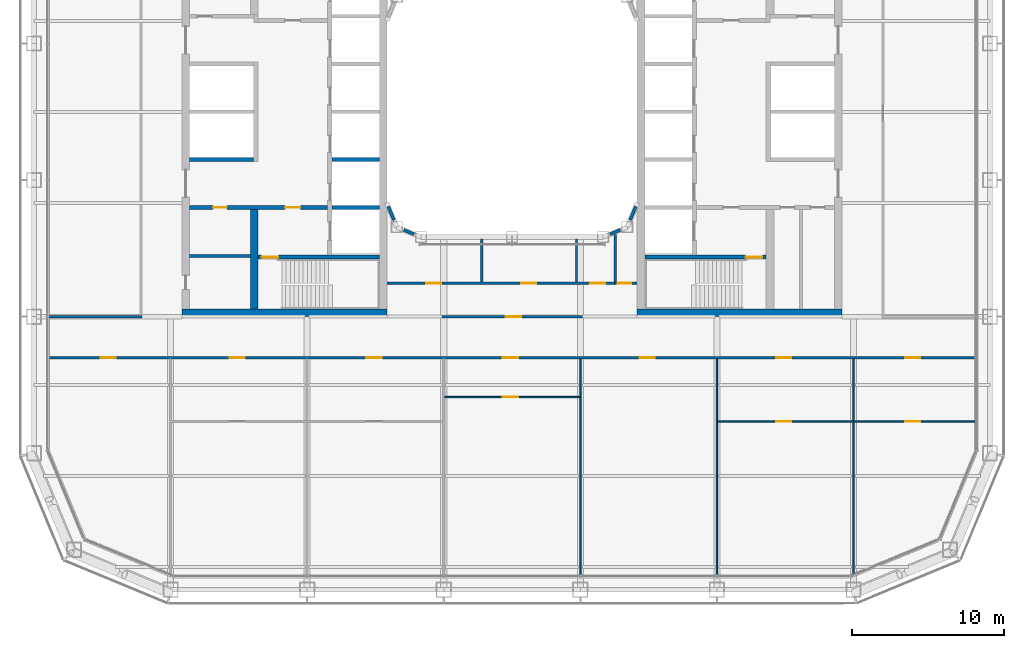
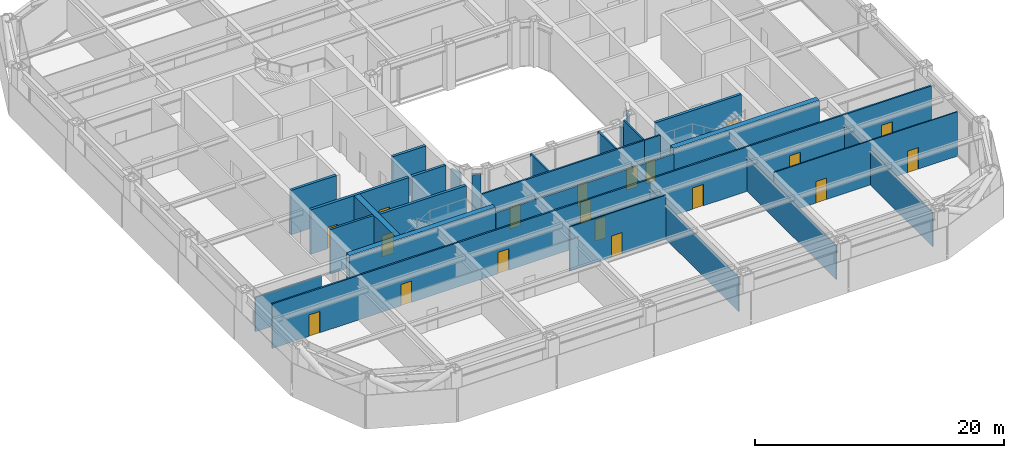
# One storey, part 12 of 24: 28 walls, 19 doors, 19 openings.
"""IFC4 building model written with IfcOpenShell, lengths in metres."""

from ifc_helpers import new_model, si_unit, direction, frame, frame_2d, origin, place, context, subcontext, project, spatial, rectangle, extrude, material, layer, layer_set, type_object, element, fill, save


model = new_model("IFC4")

# Units and contexts
model_context = context("Model", 3, precision=1e-05, world=origin(), true_north=direction((0.0, 1.0)))
body_context = subcontext(model_context, "Body", "Model", "MODEL_VIEW")
ifc_project = project(units=[si_unit("LENGTHUNIT", "METRE"), si_unit("AREAUNIT", "SQUARE_METRE"), si_unit("VOLUMEUNIT", "CUBIC_METRE"), si_unit("PLANEANGLEUNIT", "RADIAN"), si_unit("MASSUNIT", "GRAM", prefix="KILO")], contexts=[model_context])

# Site, building, storey
site_placement = place(None, origin())
site = spatial("IfcSite", under=ifc_project, at=site_placement, CompositionType="ELEMENT")
building_placement = place(site_placement, origin())
building = spatial("IfcBuilding", under=site, at=building_placement, Name="Siwar Civic Tower", CompositionType="ELEMENT")
storey_placement = place(building_placement, frame((0.0, 0.0, 76.199951171875)))
storey = spatial("IfcBuildingStorey", under=building, at=storey_placement, Name="L16", CompositionType="ELEMENT", Elevation=76.199951171875)

# Wall, opening, door
ifc_material_1 = material(Name="Gypsum board on steel studs", Category="steel")
ifc_layer_1 = layer(ifc_material_1, 0.14990234375)
ifc_layer_set_1 = layer_set([ifc_layer_1], Name="Gypsum board on steel studs")
wall_type_1 = type_object("IfcWallType", Name="COMPARTMENT PARTITION 150 EI 60", PredefinedType="PARTITIONING", material=ifc_layer_set_1)
wall_1_placement = place(storey_placement, frame((6.800048828125, -11.300048828125, 0.0), z_axis=(0.0, 0.0, 1.0), x_axis=(1.0, 0.0, 0.0)))
wall_1 = element("IfcWall", 1, at=wall_1_placement, inside=storey, type_object=wall_type_1, Name="L16/wall/P09", PredefinedType="PARTITIONING", context=body_context, shape_type="SweptSolid", body=[
    extrude(rectangle(XDim=1.449951171875, YDim=0.14990234375, at=frame_2d((0.72509765625, 0.0))), origin(), (0.0, 0.0, 1.0), 4.35009765625),
])
opening_1_placement = place(wall_1_placement, frame((0.14990234375, 0.0, 0.0)))
opening_1 = element("IfcOpeningElement", 2, at=opening_1_placement, cuts=wall_1, Name="Opening D4", PredefinedType="OPENING", context=body_context, shape_type="SweptSolid", body=[
    extrude(rectangle(XDim=0.89990234375, YDim=2.10009765625, at=frame_2d((0.449951171875, 1.050048828125))), frame((0.0, 0.0849609375, 0.0), z_axis=(0.0, -1.0, 0.0), x_axis=(1.0, 0.0, 0.0)), (0.0, 0.0, 1.0), 0.169921875),
])
ifc_material_2 = material(Name="Timber, painted", Category="wood")
door_type_1 = type_object("IfcDoorType", Name="DOOR 900 X 2100 FD60", OperationType="SINGLE_SWING_LEFT", PredefinedType="DOOR", material=ifc_material_2)
door_1_placement = place(opening_1_placement, origin())
door_1 = element("IfcDoor", 3, at=door_1_placement, inside=storey, type_object=door_type_1, Name="L16-D35", OperationType="SINGLE_SWING_LEFT", OverallHeight=2.10009765625, OverallWidth=0.89990234375, PredefinedType="DOOR", context=body_context, shape_type="SweptSolid", body=[
    extrude(rectangle(XDim=0.89990234375, YDim=2.10009765625, at=frame_2d((0.449951171875, 1.050048828125))), frame((0.0, 0.02490234375, 0.0), z_axis=(0.0, -1.0, 0.0), x_axis=(1.0, 0.0, 0.0)), (0.0, 0.0, 1.0), 0.050048828125),
])
fill(opening_1, door_1)

# Walls
wall_2_placement = place(storey_placement, frame((6.800048828125, -11.22509765625, 0.0), z_axis=(0.0, 0.0, 1.0), x_axis=(0.0, 1.0, 0.0)))
element("IfcWall", 4, at=wall_2_placement, inside=storey, type_object=wall_type_1, Name="L16/wall/P33", PredefinedType="PARTITIONING", context=body_context, shape_type="SweptSolid", body=[
    extrude(rectangle(XDim=3.151123046875, YDim=0.14990234375, at=frame_2d((1.57568359375, 0.0))), origin(), (0.0, 0.0, 1.0), 4.35009765625),
])
ifc_material_3 = material(Name="Gypsum board on steel studs", Category="steel")
ifc_layer_2 = layer(ifc_material_3, 0.199951171875)
ifc_layer_set_2 = layer_set([ifc_layer_2], Name="Gypsum board on steel studs")
wall_type_2 = type_object("IfcWallType", Name="CORE-PARTITION-200", PredefinedType="PARTITIONING", material=ifc_layer_set_2)
wall_3_placement = place(storey_placement, frame((-17.25, -9.5, 0.0), z_axis=(0.0, 0.0, 1.0), x_axis=(-1.0, 0.0, 0.0)))
element("IfcWall", 5, at=wall_3_placement, inside=storey, type_object=wall_type_2, Name="Core partition W", PredefinedType="PARTITIONING", context=body_context, shape_type="SweptSolid", body=[
    extrude(rectangle(XDim=4.0, YDim=0.199951171875, at=frame_2d((2.0, 0.0))), origin(), (0.0, 0.0, 1.0), 4.35009765625),
])

# Wall, openings, doors
ifc_material_4 = material(Name="Concrete C60/75", Category="concrete")
ifc_layer_3 = layer(ifc_material_4, 0.25)
ifc_layer_set_3 = layer_set([ifc_layer_3], Name="Concrete C60/75")
wall_type_3 = type_object("IfcWallType", Name="CORE-WALL-RC250", PredefinedType="SHEAR", material=ifc_layer_set_3)
wall_4_placement = place(storey_placement, frame((-12.14990234375, -6.300048828125, 0.0), z_axis=(0.0, 0.0, 1.0), x_axis=(-1.0, 0.0, 0.0)))
wall_4 = element("IfcWall", 6, at=wall_4_placement, inside=storey, type_object=wall_type_3, Name="Core wall W", PredefinedType="SHEAR", context=body_context, shape_type="SweptSolid", body=[
    extrude(rectangle(XDim=9.10009765625, YDim=0.25, at=frame_2d((4.550048828125, 0.0))), origin(), (0.0, 0.0, 1.0), 4.35009765625),
])
opening_2_placement = place(wall_4_placement, frame((1.800048828125, 0.0, 0.0)))
opening_2 = element("IfcOpeningElement", 7, at=opening_2_placement, cuts=wall_4, Name="Opening L16-CW02", PredefinedType="OPENING", context=body_context, shape_type="SweptSolid", body=[
    extrude(rectangle(XDim=1.0, YDim=2.10009765625, at=frame_2d((0.5, 1.050048828125))), frame((0.0, 0.135009765625, 0.0), z_axis=(0.0, -1.0, 0.0), x_axis=(1.0, 0.0, 0.0)), (0.0, 0.0, 1.0), 0.27001953125),
])
opening_3_placement = place(wall_4_placement, frame((6.64990234375, 0.0, 0.0)))
opening_3 = element("IfcOpeningElement", 8, at=opening_3_placement, cuts=wall_4, Name="Opening L16-CW14", PredefinedType="OPENING", context=body_context, shape_type="SweptSolid", body=[
    extrude(rectangle(XDim=0.89990234375, YDim=2.10009765625, at=frame_2d((0.449951171875, 1.050048828125))), frame((0.0, 0.135009765625, 0.0), z_axis=(0.0, -1.0, 0.0), x_axis=(1.0, 0.0, 0.0)), (0.0, 0.0, 1.0), 0.27001953125),
])
ifc_material_5 = material(Name="Steel door leaf", Category="steel")
door_type_2 = type_object("IfcDoorType", Name="CORE-DOOR-FD30S", OperationType="SINGLE_SWING_LEFT", PredefinedType="DOOR", material=ifc_material_5)
door_2_placement = place(opening_2_placement, origin())
door_2 = element("IfcDoor", 9, at=door_2_placement, inside=storey, type_object=door_type_2, Name="Service lobby door L16-CW02", OperationType="SINGLE_SWING_RIGHT", OverallHeight=2.10009765625, OverallWidth=1.0, PredefinedType="DOOR", context=body_context, shape_type="SweptSolid", body=[
    extrude(rectangle(XDim=1.0, YDim=2.10009765625, at=frame_2d((0.5, 1.050048828125))), frame((0.0, 0.02490234375, 0.0), z_axis=(0.0, -1.0, 0.0), x_axis=(1.0, 0.0, 0.0)), (0.0, 0.0, 1.0), 0.050048828125),
])
fill(opening_2, door_2)
ifc_material_6 = material(Name="Steel door leaf", Category="steel")
door_type_3 = type_object("IfcDoorType", Name="CORE-DOOR-ROOM", OperationType="SINGLE_SWING_LEFT", PredefinedType="DOOR", material=ifc_material_6)
door_3_placement = place(opening_3_placement, origin())
door_3 = element("IfcDoor", 10, at=door_3_placement, inside=storey, type_object=door_type_3, Name="Core room door L16-CW14", OperationType="SINGLE_SWING_RIGHT", OverallHeight=2.10009765625, OverallWidth=0.89990234375, PredefinedType="DOOR", context=body_context, shape_type="SweptSolid", body=[
    extrude(rectangle(XDim=0.89990234375, YDim=2.10009765625, at=frame_2d((0.449951171875, 1.050048828125))), frame((0.0, 0.02490234375, 0.0), z_axis=(0.0, -1.0, 0.0), x_axis=(1.0, 0.0, 0.0)), (0.0, 0.0, 1.0), 0.050048828125),
])
fill(opening_3, door_3)

# Walls
wall_5_placement = place(storey_placement, frame((-17.050048828125, -3.14990234375, 0.0), z_axis=(0.0, 0.0, 1.0), x_axis=(-1.0, 0.0, 0.0)))
element("IfcWall", 11, at=wall_5_placement, inside=storey, type_object=wall_type_3, Name="Core wall W", PredefinedType="SHEAR", context=body_context, shape_type="SweptSolid", body=[
    extrude(rectangle(XDim=4.199951171875, YDim=0.25, at=frame_2d((2.10009765625, 0.0))), origin(), (0.0, 0.0, 1.0), 4.35009765625),
])
for number, where, z_axis, x_axis, name in (
    (12, (-8.75, -3.14990234375, 0.0), (0.0, 0.0, 1.0), (-1.0, 0.0, 0.0), "Core wall W"),
    (13, (-8.75, -6.300048828125, 0.0), (0.0, 0.0, 1.0), (-1.0, 0.0, 0.0), "Core wall W"),
):
    element("IfcWall", number, at=place(storey_placement, frame(where, z_axis=z_axis, x_axis=x_axis)), inside=storey, type_object=wall_type_3, Name=name, PredefinedType="SHEAR", context=body_context, shape_type="SweptSolid", body=[
        extrude(rectangle(XDim=3.10009765625, YDim=0.25, at=frame_2d((1.550048828125, 0.0))), origin(), (0.0, 0.0, 1.0), 4.35009765625),
    ])

# Wall, opening, door
wall_6_placement = place(storey_placement, frame((-8.75, -9.574951171875, 0.0), z_axis=(0.0, 0.0, 1.0), x_axis=(-1.0, 0.0, 0.0)))
wall_6 = element("IfcWall", 14, at=wall_6_placement, inside=storey, type_object=wall_type_3, Name="Core wall W", PredefinedType="SHEAR", context=body_context, shape_type="SweptSolid", body=[
    extrude(rectangle(XDim=8.0, YDim=0.25, at=frame_2d((4.0, 0.0))), origin(), (0.0, 0.0, 1.0), 4.35009765625),
])
opening_4_placement = place(wall_6_placement, frame((6.64990234375, 0.0, 0.0)))
opening_4 = element("IfcOpeningElement", 15, at=opening_4_placement, cuts=wall_6, Name="Opening L16-CW04", PredefinedType="OPENING", context=body_context, shape_type="SweptSolid", body=[
    extrude(rectangle(XDim=1.10009765625, YDim=2.10009765625, at=frame_2d((0.550048828125, 1.050048828125))), frame((0.0, 0.135009765625, 0.0), z_axis=(0.0, -1.0, 0.0), x_axis=(1.0, 0.0, 0.0)), (0.0, 0.0, 1.0), 0.27001953125),
])
ifc_material_7 = material(Name="Steel door leaf", Category="steel")
door_type_4 = type_object("IfcDoorType", Name="CORE-DOOR-FD60S", OperationType="SINGLE_SWING_LEFT", PredefinedType="DOOR", material=ifc_material_7)
door_4_placement = place(opening_4_placement, origin())
door_4 = element("IfcDoor", 16, at=door_4_placement, inside=storey, type_object=door_type_4, Name="Stair door L16-CW04", OperationType="SINGLE_SWING_LEFT", OverallHeight=2.10009765625, OverallWidth=1.10009765625, PredefinedType="DOOR", context=body_context, shape_type="SweptSolid", body=[
    extrude(rectangle(XDim=1.10009765625, YDim=2.10009765625, at=frame_2d((0.550048828125, 1.050048828125))), frame((0.0, 0.02490234375, 0.0), z_axis=(0.0, -1.0, 0.0), x_axis=(1.0, 0.0, 0.0)), (0.0, 0.0, 1.0), 0.050048828125),
])
fill(opening_4, door_4)

wall_7_placement = place(storey_placement, frame((8.75, -9.574951171875, 0.0), z_axis=(0.0, 0.0, 1.0), x_axis=(1.0, 0.0, 0.0)))
wall_7 = element("IfcWall", 17, at=wall_7_placement, inside=storey, type_object=wall_type_3, Name="Core wall E", PredefinedType="SHEAR", context=body_context, shape_type="SweptSolid", body=[
    extrude(rectangle(XDim=8.0, YDim=0.25, at=frame_2d((4.0, 0.0))), origin(), (0.0, 0.0, 1.0), 4.35009765625),
])
opening_5_placement = place(wall_7_placement, frame((6.64990234375, 0.0, 0.0)))
opening_5 = element("IfcOpeningElement", 18, at=opening_5_placement, cuts=wall_7, Name="Opening L16-CE04", PredefinedType="OPENING", context=body_context, shape_type="SweptSolid", body=[
    extrude(rectangle(XDim=1.10009765625, YDim=2.10009765625, at=frame_2d((0.550048828125, 1.050048828125))), frame((0.0, 0.135009765625, 0.0), z_axis=(0.0, -1.0, 0.0), x_axis=(1.0, 0.0, 0.0)), (0.0, 0.0, 1.0), 0.27001953125),
])
door_5_placement = place(opening_5_placement, origin())
door_5 = element("IfcDoor", 19, at=door_5_placement, inside=storey, type_object=door_type_4, Name="Stair door L16-CE04", OperationType="SINGLE_SWING_RIGHT", OverallHeight=2.10009765625, OverallWidth=1.10009765625, PredefinedType="DOOR", context=body_context, shape_type="SweptSolid", body=[
    extrude(rectangle(XDim=1.10009765625, YDim=2.10009765625, at=frame_2d((0.550048828125, 1.050048828125))), frame((0.0, 0.02490234375, 0.0), z_axis=(0.0, -1.0, 0.0), x_axis=(1.0, 0.0, 0.0)), (0.0, 0.0, 1.0), 0.050048828125),
])
fill(opening_5, door_5)

# Walls
ifc_material_8 = material(Name="Concrete C60/75", Category="concrete")
ifc_layer_4 = layer(ifc_material_8, 0.5)
ifc_layer_set_4 = layer_set([ifc_layer_4], Name="Concrete C60/75")
wall_type_4 = type_object("IfcWallType", Name="CORE-WALL-RC500", PredefinedType="SHEAR", material=ifc_layer_set_4)
wall_8_placement = place(storey_placement, frame((-17.0, -13.0, 0.0), z_axis=(0.0, 0.0, 1.0), x_axis=(0.0, 1.0, 0.0)))
element("IfcWall", 20, at=wall_8_placement, inside=storey, type_object=wall_type_4, Name="Core wall W", PredefinedType="SHEAR", context=body_context, shape_type="SweptSolid", body=[
    extrude(rectangle(XDim=6.574951171875, YDim=0.5, at=frame_2d((3.28759765625, 0.0))), origin(), (0.0, 0.0, 1.0), 4.35009765625),
])
for number, where, z_axis, x_axis, name in (
    (21, (-8.25, -13.25, 0.0), (0.0, 0.0, 1.0), (-1.0, 0.0, 0.0), "Core wall W"),
    (22, (8.25, -13.25, 0.0), (0.0, 0.0, 1.0), (1.0, 0.0, 0.0), "Core wall E"),
):
    element("IfcWall", number, at=place(storey_placement, frame(where, z_axis=z_axis, x_axis=x_axis)), inside=storey, type_object=wall_type_4, Name=name, PredefinedType="SHEAR", context=body_context, shape_type="SweptSolid", body=[
        extrude(rectangle(XDim=13.5, YDim=0.5, at=frame_2d((6.75, 0.0))), origin(), (0.0, 0.0, 1.0), 4.35009765625),
    ])

# Wall, openings, doors
ifc_material_9 = material(Name="Gypsum board on steel studs", Category="steel")
ifc_layer_5 = layer(ifc_material_9, 0.14990234375)
ifc_layer_set_5 = layer_set([ifc_layer_5], Name="Gypsum board on steel studs")
wall_type_5 = type_object("IfcWallType", Name="CORRIDOR PARTITION 150 EI 30", PredefinedType="PARTITIONING", material=ifc_layer_set_5)
wall_9_placement = place(storey_placement, frame((-30.510009765625, -16.199951171875, 0.0), z_axis=(0.0, 0.0, 1.0), x_axis=(1.0, 0.0, 0.0)))
wall_9 = element("IfcWall", 23, at=wall_9_placement, inside=storey, type_object=wall_type_5, Name="L16/wall/P04", PredefinedType="PARTITIONING", context=body_context, shape_type="SweptSolid", body=[
    extrude(rectangle(XDim=61.02001953125, YDim=0.14990234375, at=frame_2d((30.510009765625, 0.0))), origin(), (0.0, 0.0, 1.0), 4.35009765625),
])
opening_6_placement = place(wall_9_placement, frame((11.909912109375, 0.0, 0.0)))
opening_6 = element("IfcOpeningElement", 24, at=opening_6_placement, cuts=wall_9, Name="Opening D1", PredefinedType="OPENING", context=body_context, shape_type="SweptSolid", body=[
    extrude(rectangle(XDim=1.0, YDim=2.10009765625, at=frame_2d((0.5, 1.050048828125))), frame((0.0, 0.0849609375, 0.0), z_axis=(0.0, -1.0, 0.0), x_axis=(1.0, 0.0, 0.0)), (0.0, 0.0, 1.0), 0.169921875),
])
opening_7_placement = place(wall_9_placement, frame((20.909912109375, 0.0, 0.0)))
opening_7 = element("IfcOpeningElement", 25, at=opening_7_placement, cuts=wall_9, Name="Opening D1", PredefinedType="OPENING", context=body_context, shape_type="SweptSolid", body=[
    extrude(rectangle(XDim=1.0, YDim=2.10009765625, at=frame_2d((0.5, 1.050048828125))), frame((0.0, 0.0849609375, 0.0), z_axis=(0.0, -1.0, 0.0), x_axis=(1.0, 0.0, 0.0)), (0.0, 0.0, 1.0), 0.169921875),
])
opening_8_placement = place(wall_9_placement, frame((29.909912109375, 0.0, 0.0)))
opening_8 = element("IfcOpeningElement", 26, at=opening_8_placement, cuts=wall_9, Name="Opening D1", PredefinedType="OPENING", context=body_context, shape_type="SweptSolid", body=[
    extrude(rectangle(XDim=1.0, YDim=2.10009765625, at=frame_2d((0.5, 1.050048828125))), frame((0.0, 0.0849609375, 0.0), z_axis=(0.0, -1.0, 0.0), x_axis=(1.0, 0.0, 0.0)), (0.0, 0.0, 1.0), 0.169921875),
])
opening_9_placement = place(wall_9_placement, frame((38.909912109375, 0.0, 0.0)))
opening_9 = element("IfcOpeningElement", 27, at=opening_9_placement, cuts=wall_9, Name="Opening D1", PredefinedType="OPENING", context=body_context, shape_type="SweptSolid", body=[
    extrude(rectangle(XDim=1.0, YDim=2.10009765625, at=frame_2d((0.5, 1.050048828125))), frame((0.0, 0.0849609375, 0.0), z_axis=(0.0, -1.0, 0.0), x_axis=(1.0, 0.0, 0.0)), (0.0, 0.0, 1.0), 0.169921875),
])
opening_10_placement = place(wall_9_placement, frame((47.909912109375, 0.0, 0.0)))
opening_10 = element("IfcOpeningElement", 28, at=opening_10_placement, cuts=wall_9, Name="Opening D1", PredefinedType="OPENING", context=body_context, shape_type="SweptSolid", body=[
    extrude(rectangle(XDim=1.0, YDim=2.10009765625, at=frame_2d((0.5, 1.050048828125))), frame((0.0, 0.0849609375, 0.0), z_axis=(0.0, -1.0, 0.0), x_axis=(1.0, 0.0, 0.0)), (0.0, 0.0, 1.0), 0.169921875),
])
opening_11_placement = place(wall_9_placement, frame((3.39990234375, 0.0, 0.0)))
opening_11 = element("IfcOpeningElement", 29, at=opening_11_placement, cuts=wall_9, Name="Opening D1", PredefinedType="OPENING", context=body_context, shape_type="SweptSolid", body=[
    extrude(rectangle(XDim=1.0, YDim=2.10009765625, at=frame_2d((0.5, 1.050048828125))), frame((0.0, 0.0849609375, 0.0), z_axis=(0.0, -1.0, 0.0), x_axis=(1.0, 0.0, 0.0)), (0.0, 0.0, 1.0), 0.169921875),
])
opening_12_placement = place(wall_9_placement, frame((56.409912109375, 0.0, 0.0)))
opening_12 = element("IfcOpeningElement", 30, at=opening_12_placement, cuts=wall_9, Name="Opening D1", PredefinedType="OPENING", context=body_context, shape_type="SweptSolid", body=[
    extrude(rectangle(XDim=1.0, YDim=2.10009765625, at=frame_2d((0.5, 1.050048828125))), frame((0.0, 0.0849609375, 0.0), z_axis=(0.0, -1.0, 0.0), x_axis=(1.0, 0.0, 0.0)), (0.0, 0.0, 1.0), 0.169921875),
])
ifc_material_10 = material(Name="Timber, painted", Category="wood")
door_type_5 = type_object("IfcDoorType", Name="DOOR 1000 X 2100 FD30", OperationType="SINGLE_SWING_LEFT", PredefinedType="DOOR", material=ifc_material_10)
door_6_placement = place(opening_6_placement, origin())
door_6 = element("IfcDoor", 31, at=door_6_placement, inside=storey, type_object=door_type_5, Name="L16-D11", OperationType="SINGLE_SWING_LEFT", OverallHeight=2.10009765625, OverallWidth=1.0, PredefinedType="DOOR", context=body_context, shape_type="SweptSolid", body=[
    extrude(rectangle(XDim=1.0, YDim=2.10009765625, at=frame_2d((0.5, 1.050048828125))), frame((0.0, 0.02490234375, 0.0), z_axis=(0.0, -1.0, 0.0), x_axis=(1.0, 0.0, 0.0)), (0.0, 0.0, 1.0), 0.050048828125),
])
fill(opening_6, door_6)
door_7_placement = place(opening_7_placement, origin())
door_7 = element("IfcDoor", 32, at=door_7_placement, inside=storey, type_object=door_type_5, Name="L16-D13", OperationType="SINGLE_SWING_LEFT", OverallHeight=2.10009765625, OverallWidth=1.0, PredefinedType="DOOR", context=body_context, shape_type="SweptSolid", body=[
    extrude(rectangle(XDim=1.0, YDim=2.10009765625, at=frame_2d((0.5, 1.050048828125))), frame((0.0, 0.02490234375, 0.0), z_axis=(0.0, -1.0, 0.0), x_axis=(1.0, 0.0, 0.0)), (0.0, 0.0, 1.0), 0.050048828125),
])
fill(opening_7, door_7)
door_8_placement = place(opening_8_placement, origin())
door_8 = element("IfcDoor", 33, at=door_8_placement, inside=storey, type_object=door_type_5, Name="L16-D15", OperationType="SINGLE_SWING_LEFT", OverallHeight=2.10009765625, OverallWidth=1.0, PredefinedType="DOOR", context=body_context, shape_type="SweptSolid", body=[
    extrude(rectangle(XDim=1.0, YDim=2.10009765625, at=frame_2d((0.5, 1.050048828125))), frame((0.0, 0.02490234375, 0.0), z_axis=(0.0, -1.0, 0.0), x_axis=(1.0, 0.0, 0.0)), (0.0, 0.0, 1.0), 0.050048828125),
])
fill(opening_8, door_8)
door_9_placement = place(opening_9_placement, origin())
door_9 = element("IfcDoor", 34, at=door_9_placement, inside=storey, type_object=door_type_5, Name="L16-D17", OperationType="SINGLE_SWING_LEFT", OverallHeight=2.10009765625, OverallWidth=1.0, PredefinedType="DOOR", context=body_context, shape_type="SweptSolid", body=[
    extrude(rectangle(XDim=1.0, YDim=2.10009765625, at=frame_2d((0.5, 1.050048828125))), frame((0.0, 0.02490234375, 0.0), z_axis=(0.0, -1.0, 0.0), x_axis=(1.0, 0.0, 0.0)), (0.0, 0.0, 1.0), 0.050048828125),
])
fill(opening_9, door_9)
door_10_placement = place(opening_10_placement, origin())
door_10 = element("IfcDoor", 35, at=door_10_placement, inside=storey, type_object=door_type_5, Name="L16-D18", OperationType="SINGLE_SWING_RIGHT", OverallHeight=2.10009765625, OverallWidth=1.0, PredefinedType="DOOR", context=body_context, shape_type="SweptSolid", body=[
    extrude(rectangle(XDim=1.0, YDim=2.10009765625, at=frame_2d((0.5, 1.050048828125))), frame((0.0, 0.02490234375, 0.0), z_axis=(0.0, -1.0, 0.0), x_axis=(1.0, 0.0, 0.0)), (0.0, 0.0, 1.0), 0.050048828125),
])
fill(opening_10, door_10)
door_11_placement = place(opening_11_placement, origin())
door_11 = element("IfcDoor", 36, at=door_11_placement, inside=storey, type_object=door_type_5, Name="L16-D23", OperationType="SINGLE_SWING_LEFT", OverallHeight=2.10009765625, OverallWidth=1.0, PredefinedType="DOOR", context=body_context, shape_type="SweptSolid", body=[
    extrude(rectangle(XDim=1.0, YDim=2.10009765625, at=frame_2d((0.5, 1.050048828125))), frame((0.0, 0.02490234375, 0.0), z_axis=(0.0, -1.0, 0.0), x_axis=(1.0, 0.0, 0.0)), (0.0, 0.0, 1.0), 0.050048828125),
])
fill(opening_11, door_11)
door_12_placement = place(opening_12_placement, origin())
door_12 = element("IfcDoor", 37, at=door_12_placement, inside=storey, type_object=door_type_5, Name="L16-D24", OperationType="SINGLE_SWING_RIGHT", OverallHeight=2.10009765625, OverallWidth=1.0, PredefinedType="DOOR", context=body_context, shape_type="SweptSolid", body=[
    extrude(rectangle(XDim=1.0, YDim=2.10009765625, at=frame_2d((0.5, 1.050048828125))), frame((0.0, 0.02490234375, 0.0), z_axis=(0.0, -1.0, 0.0), x_axis=(1.0, 0.0, 0.0)), (0.0, 0.0, 1.0), 0.050048828125),
])
fill(opening_12, door_12)

# Wall
wall_10_placement = place(storey_placement, frame((-30.510009765625, -13.5, 0.0), z_axis=(0.0, 0.0, 1.0), x_axis=(1.0, 0.0, 0.0)))
element("IfcWall", 38, at=wall_10_placement, inside=storey, type_object=wall_type_5, Name="L16/wall/P05", PredefinedType="PARTITIONING", context=body_context, shape_type="SweptSolid", body=[
    extrude(rectangle(XDim=6.135009765625, YDim=0.14990234375, at=frame_2d((3.0673828125, 0.0))), origin(), (0.0, 0.0, 1.0), 3.35009765625),
])

# Wall, opening, door
wall_11_placement = place(storey_placement, frame((-8.25, -13.5, 0.0), z_axis=(0.0, 0.0, 1.0), x_axis=(1.0, 0.0, 0.0)))
wall_11 = element("IfcWall", 39, at=wall_11_placement, inside=storey, type_object=wall_type_5, Name="L16/wall/P06", PredefinedType="PARTITIONING", context=body_context, shape_type="SweptSolid", body=[
    extrude(rectangle(XDim=16.5, YDim=0.14990234375, at=frame_2d((8.25, 0.0))), origin(), (0.0, 0.0, 1.0), 3.85009765625),
])
opening_13_placement = place(wall_11_placement, frame((7.85009765625, 0.0, 0.0)))
opening_13 = element("IfcOpeningElement", 40, at=opening_13_placement, cuts=wall_11, Name="Opening D1", PredefinedType="OPENING", context=body_context, shape_type="SweptSolid", body=[
    extrude(rectangle(XDim=1.0, YDim=2.10009765625, at=frame_2d((0.5, 1.050048828125))), frame((0.0, 0.0849609375, 0.0), z_axis=(0.0, -1.0, 0.0), x_axis=(1.0, 0.0, 0.0)), (0.0, 0.0, 1.0), 0.169921875),
])
door_13_placement = place(opening_13_placement, origin())
door_13 = element("IfcDoor", 41, at=door_13_placement, inside=storey, type_object=door_type_5, Name="L16-D31", OperationType="SINGLE_SWING_LEFT", OverallHeight=2.10009765625, OverallWidth=1.0, PredefinedType="DOOR", context=body_context, shape_type="SweptSolid", body=[
    extrude(rectangle(XDim=1.0, YDim=2.10009765625, at=frame_2d((0.5, 1.050048828125))), frame((0.0, 0.02490234375, 0.0), z_axis=(0.0, -1.0, 0.0), x_axis=(1.0, 0.0, 0.0)), (0.0, 0.0, 1.0), 0.050048828125),
])
fill(opening_13, door_13)

# Wall, openings, doors
wall_12_placement = place(storey_placement, frame((-8.25, -11.300048828125, 0.0), z_axis=(0.0, 0.0, 1.0), x_axis=(1.0, 0.0, 0.0)))
wall_12 = element("IfcWall", 42, at=wall_12_placement, inside=storey, type_object=wall_type_5, Name="L16/wall/P08", PredefinedType="PARTITIONING", context=body_context, shape_type="SweptSolid", body=[
    extrude(rectangle(XDim=15.050048828125, YDim=0.14990234375, at=frame_2d((7.52490234375, 0.0))), origin(), (0.0, 0.0, 1.0), 4.35009765625),
])
opening_14_placement = place(wall_12_placement, frame((2.60009765625, 0.0, 0.0)))
opening_14 = element("IfcOpeningElement", 43, at=opening_14_placement, cuts=wall_12, Name="Opening D3", PredefinedType="OPENING", context=body_context, shape_type="SweptSolid", body=[
    extrude(rectangle(XDim=1.0, YDim=2.10009765625, at=frame_2d((0.5, 1.050048828125))), frame((0.0, 0.0849609375, 0.0), z_axis=(0.0, -1.0, 0.0), x_axis=(1.0, 0.0, 0.0)), (0.0, 0.0, 1.0), 0.169921875),
])
opening_15_placement = place(wall_12_placement, frame((8.85009765625, 0.0, 0.0)))
opening_15 = element("IfcOpeningElement", 44, at=opening_15_placement, cuts=wall_12, Name="Opening D3", PredefinedType="OPENING", context=body_context, shape_type="SweptSolid", body=[
    extrude(rectangle(XDim=1.0, YDim=2.10009765625, at=frame_2d((0.5, 1.050048828125))), frame((0.0, 0.0849609375, 0.0), z_axis=(0.0, -1.0, 0.0), x_axis=(1.0, 0.0, 0.0)), (0.0, 0.0, 1.0), 0.169921875),
])
opening_16_placement = place(wall_12_placement, frame((13.39990234375, 0.0, 0.0)))
opening_16 = element("IfcOpeningElement", 45, at=opening_16_placement, cuts=wall_12, Name="Opening D3", PredefinedType="OPENING", context=body_context, shape_type="SweptSolid", body=[
    extrude(rectangle(XDim=1.0, YDim=2.10009765625, at=frame_2d((0.5, 1.050048828125))), frame((0.0, 0.0849609375, 0.0), z_axis=(0.0, -1.0, 0.0), x_axis=(1.0, 0.0, 0.0)), (0.0, 0.0, 1.0), 0.169921875),
])
ifc_material_11 = material(Name="Timber, painted", Category="wood")
door_type_6 = type_object("IfcDoorType", Name="DOOR 1000 X 2100 WC", OperationType="SINGLE_SWING_LEFT", PredefinedType="DOOR", material=ifc_material_11)
door_14_placement = place(opening_14_placement, origin())
door_14 = element("IfcDoor", 46, at=door_14_placement, inside=storey, type_object=door_type_6, Name="L16-D32", OperationType="SINGLE_SWING_RIGHT", OverallHeight=2.10009765625, OverallWidth=1.0, PredefinedType="DOOR", context=body_context, shape_type="SweptSolid", body=[
    extrude(rectangle(XDim=1.0, YDim=2.10009765625, at=frame_2d((0.5, 1.050048828125))), frame((0.0, 0.02490234375, 0.0), z_axis=(0.0, -1.0, 0.0), x_axis=(1.0, 0.0, 0.0)), (0.0, 0.0, 1.0), 0.050048828125),
])
fill(opening_14, door_14)
door_15_placement = place(opening_15_placement, origin())
door_15 = element("IfcDoor", 47, at=door_15_placement, inside=storey, type_object=door_type_6, Name="L16-D33", OperationType="SINGLE_SWING_LEFT", OverallHeight=2.10009765625, OverallWidth=1.0, PredefinedType="DOOR", context=body_context, shape_type="SweptSolid", body=[
    extrude(rectangle(XDim=1.0, YDim=2.10009765625, at=frame_2d((0.5, 1.050048828125))), frame((0.0, 0.02490234375, 0.0), z_axis=(0.0, -1.0, 0.0), x_axis=(1.0, 0.0, 0.0)), (0.0, 0.0, 1.0), 0.050048828125),
])
fill(opening_15, door_15)
door_16_placement = place(opening_16_placement, origin())
door_16 = element("IfcDoor", 48, at=door_16_placement, inside=storey, type_object=door_type_6, Name="L16-D34", OperationType="SINGLE_SWING_RIGHT", OverallHeight=2.10009765625, OverallWidth=1.0, PredefinedType="DOOR", context=body_context, shape_type="SweptSolid", body=[
    extrude(rectangle(XDim=1.0, YDim=2.10009765625, at=frame_2d((0.5, 1.050048828125))), frame((0.0, 0.02490234375, 0.0), z_axis=(0.0, -1.0, 0.0), x_axis=(1.0, 0.0, 0.0)), (0.0, 0.0, 1.0), 0.050048828125),
])
fill(opening_16, door_16)

# Walls
for number, where, z_axis, x_axis, name in (
    (49, (-2.0, -11.22509765625, 0.0), (0.0, 0.0, 1.0), (0.0, 1.0, 0.0), "L16/wall/P28"),
    (50, (4.25, -11.22509765625, 0.0), (0.0, 0.0, 1.0), (0.0, 1.0, 0.0), "L16/wall/P29"),
):
    element("IfcWall", number, at=place(storey_placement, frame(where, z_axis=z_axis, x_axis=x_axis)), inside=storey, type_object=wall_type_5, Name=name, PredefinedType="PARTITIONING", context=body_context, shape_type="SweptSolid", body=[
        extrude(rectangle(XDim=2.85498046875, YDim=0.14990234375, at=frame_2d((1.427490234375, 0.0))), origin(), (0.0, 0.0, 1.0), 4.35009765625),
    ])
ifc_material_12 = material(Name="Aluminium clad insulated panel", Category="aluminium")
ifc_layer_6 = layer(ifc_material_12, 0.199951171875)
ifc_layer_set_6 = layer_set([ifc_layer_6], Name="Aluminium clad insulated panel")
wall_type_6 = type_object("IfcWallType", Name="ENV-WALL-WELL", PredefinedType="STANDARD", material=ifc_layer_set_6)
wall_13_placement = place(storey_placement, frame((6.45263671875, -8.0625, 0.0), z_axis=(0.0, 0.0, 1.0), x_axis=(0.923940677943, 0.382535780864, 0.0)))
element("IfcWall", 51, at=wall_13_placement, inside=storey, type_object=wall_type_6, Name="Light well corner wall SE1", PredefinedType="STANDARD", context=body_context, shape_type="SweptSolid", body=[
    extrude(rectangle(XDim=0.7421875, YDim=0.199951171875, at=frame_2d((0.37109375, 0.0))), origin(), (0.0, 0.0, 1.0), 3.72998046875),
])
for number, where, z_axis, x_axis, name in (
    (52, (7.778564453125, -7.138427734375, 0.0), (0.0, 0.0, 1.0), (0.382549378284, 0.923935048136, 0.0), "Light well corner wall SE2"),
    (53, (-8.154296875, -6.23095703125, 0.0), (0.0, 0.0, 1.0), (0.382549378284, -0.923935048136, 0.0), "Light well corner wall SW1"),
):
    element("IfcWall", number, at=place(storey_placement, frame(where, z_axis=z_axis, x_axis=x_axis)), inside=storey, type_object=wall_type_6, Name=name, PredefinedType="STANDARD", context=body_context, shape_type="SweptSolid", body=[
        extrude(rectangle(XDim=0.982177734375, YDim=0.199951171875, at=frame_2d((0.4912109375, 0.0))), origin(), (0.0, 0.0, 1.0), 3.72998046875),
    ])
wall_14_placement = place(storey_placement, frame((-7.138427734375, -7.778564453125, 0.0), z_axis=(0.0, 0.0, 1.0), x_axis=(0.923940677943, -0.382535780864, 0.0)))
element("IfcWall", 54, at=wall_14_placement, inside=storey, type_object=wall_type_6, Name="Light well corner wall SW2", PredefinedType="STANDARD", context=body_context, shape_type="SweptSolid", body=[
    extrude(rectangle(XDim=0.7421875, YDim=0.199951171875, at=frame_2d((0.37109375, 0.0))), origin(), (0.0, 0.0, 1.0), 3.72998046875),
])

# Wall, openings, doors
ifc_material_13 = material(Name="Gypsum board on steel studs", Category="steel")
ifc_layer_7 = layer(ifc_material_13, 0.10009765625)
ifc_layer_set_7 = layer_set([ifc_layer_7], Name="Gypsum board on steel studs")
wall_type_7 = type_object("IfcWallType", Name="PARTITION 100 GYPSUM", PredefinedType="PARTITIONING", material=ifc_layer_set_7)
wall_15_placement = place(storey_placement, frame((13.550048828125, -20.39990234375, 0.0), z_axis=(0.0, 0.0, 1.0), x_axis=(1.0, 0.0, 0.0)))
wall_15 = element("IfcWall", 55, at=wall_15_placement, inside=storey, type_object=wall_type_7, Name="L16/wall/P02", PredefinedType="PARTITIONING", context=body_context, shape_type="SweptSolid", body=[
    extrude(rectangle(XDim=16.9599609375, YDim=0.10009765625, at=frame_2d((8.47998046875, 0.0))), origin(), (0.0, 0.0, 1.0), 4.35009765625),
])
opening_17_placement = place(wall_15_placement, frame((3.85009765625, 0.0, 0.0)))
opening_17 = element("IfcOpeningElement", 56, at=opening_17_placement, cuts=wall_15, Name="Opening D2", PredefinedType="OPENING", context=body_context, shape_type="SweptSolid", body=[
    extrude(rectangle(XDim=1.0, YDim=2.10009765625, at=frame_2d((0.5, 1.050048828125))), frame((0.0, 0.06005859375, 0.0), z_axis=(0.0, -1.0, 0.0), x_axis=(1.0, 0.0, 0.0)), (0.0, 0.0, 1.0), 0.1201171875),
])
opening_18_placement = place(wall_15_placement, frame((12.35009765625, 0.0, 0.0)))
opening_18 = element("IfcOpeningElement", 57, at=opening_18_placement, cuts=wall_15, Name="Opening D2", PredefinedType="OPENING", context=body_context, shape_type="SweptSolid", body=[
    extrude(rectangle(XDim=1.0, YDim=2.10009765625, at=frame_2d((0.5, 1.050048828125))), frame((0.0, 0.06005859375, 0.0), z_axis=(0.0, -1.0, 0.0), x_axis=(1.0, 0.0, 0.0)), (0.0, 0.0, 1.0), 0.1201171875),
])
ifc_material_14 = material(Name="Timber, painted", Category="wood")
door_type_7 = type_object("IfcDoorType", Name="DOOR 1000 X 2100", OperationType="SINGLE_SWING_LEFT", PredefinedType="DOOR", material=ifc_material_14)
door_17_placement = place(opening_17_placement, origin())
door_17 = element("IfcDoor", 58, at=door_17_placement, inside=storey, type_object=door_type_7, Name="L16-D19", OperationType="SINGLE_SWING_LEFT", OverallHeight=2.10009765625, OverallWidth=1.0, PredefinedType="DOOR", context=body_context, shape_type="SweptSolid", body=[
    extrude(rectangle(XDim=1.0, YDim=2.10009765625, at=frame_2d((0.5, 1.050048828125))), frame((0.0, 0.02490234375, 0.0), z_axis=(0.0, -1.0, 0.0), x_axis=(1.0, 0.0, 0.0)), (0.0, 0.0, 1.0), 0.050048828125),
])
fill(opening_17, door_17)
door_18_placement = place(opening_18_placement, origin())
door_18 = element("IfcDoor", 59, at=door_18_placement, inside=storey, type_object=door_type_7, Name="L16-D25", OperationType="SINGLE_SWING_LEFT", OverallHeight=2.10009765625, OverallWidth=1.0, PredefinedType="DOOR", context=body_context, shape_type="SweptSolid", body=[
    extrude(rectangle(XDim=1.0, YDim=2.10009765625, at=frame_2d((0.5, 1.050048828125))), frame((0.0, 0.02490234375, 0.0), z_axis=(0.0, -1.0, 0.0), x_axis=(1.0, 0.0, 0.0)), (0.0, 0.0, 1.0), 0.050048828125),
])
fill(opening_18, door_18)

# Wall, opening, door
wall_16_placement = place(storey_placement, frame((-4.449951171875, -18.800048828125, 0.0), z_axis=(0.0, 0.0, 1.0), x_axis=(1.0, 0.0, 0.0)))
wall_16 = element("IfcWall", 60, at=wall_16_placement, inside=storey, type_object=wall_type_7, Name="L16/wall/P03", PredefinedType="PARTITIONING", context=body_context, shape_type="SweptSolid", body=[
    extrude(rectangle(XDim=8.89990234375, YDim=0.10009765625, at=frame_2d((4.449951171875, 0.0))), origin(), (0.0, 0.0, 1.0), 4.35009765625),
])
opening_19_placement = place(wall_16_placement, frame((3.85009765625, 0.0, 0.0)))
opening_19 = element("IfcOpeningElement", 61, at=opening_19_placement, cuts=wall_16, Name="Opening D2", PredefinedType="OPENING", context=body_context, shape_type="SweptSolid", body=[
    extrude(rectangle(XDim=1.0, YDim=2.10009765625, at=frame_2d((0.5, 1.050048828125))), frame((0.0, 0.06005859375, 0.0), z_axis=(0.0, -1.0, 0.0), x_axis=(1.0, 0.0, 0.0)), (0.0, 0.0, 1.0), 0.1201171875),
])
door_19_placement = place(opening_19_placement, origin())
door_19 = element("IfcDoor", 62, at=door_19_placement, inside=storey, type_object=door_type_7, Name="L16-D16", OperationType="SINGLE_SWING_RIGHT", OverallHeight=2.10009765625, OverallWidth=1.0, PredefinedType="DOOR", context=body_context, shape_type="SweptSolid", body=[
    extrude(rectangle(XDim=1.0, YDim=2.10009765625, at=frame_2d((0.5, 1.050048828125))), frame((0.0, 0.02490234375, 0.0), z_axis=(0.0, -1.0, 0.0), x_axis=(1.0, 0.0, 0.0)), (0.0, 0.0, 1.0), 0.050048828125),
])
fill(opening_19, door_19)

# Walls
for number, where, z_axis, x_axis, name in (
    (63, (4.5, -30.510009765625, 0.0), (0.0, 0.0, 1.0), (0.0, 1.0, 0.0), "L16/wall/P30"),
    (64, (13.5, -30.510009765625, 0.0), (0.0, 0.0, 1.0), (0.0, 1.0, 0.0), "L16/wall/P34"),
):
    element("IfcWall", number, at=place(storey_placement, frame(where, z_axis=z_axis, x_axis=x_axis)), inside=storey, type_object=wall_type_7, Name=name, PredefinedType="PARTITIONING", context=body_context, shape_type="SweptSolid", body=[
        extrude(rectangle(XDim=14.235107421875, YDim=0.10009765625, at=frame_2d((7.11767578125, 0.0))), origin(), (0.0, 0.0, 1.0), 3.35009765625),
    ])
wall_17_placement = place(storey_placement, frame((22.5, -30.427978515625, 0.0), z_axis=(0.0, 0.0, 1.0), x_axis=(0.0, 1.0, 0.0)))
element("IfcWall", 65, at=wall_17_placement, inside=storey, type_object=wall_type_7, Name="L16/wall/P37", PredefinedType="PARTITIONING", context=body_context, shape_type="SweptSolid", body=[
    extrude(rectangle(XDim=9.97802734375, YDim=0.10009765625, at=frame_2d((4.989013671875, 0.0))), origin(), (0.0, 0.0, 1.0), 3.35009765625),
])
wall_18_placement = place(storey_placement, frame((22.5, -20.35009765625, 0.0), z_axis=(0.0, 0.0, 1.0), x_axis=(0.0, 1.0, 0.0)))
element("IfcWall", 66, at=wall_18_placement, inside=storey, type_object=wall_type_7, Name="L16/wall/P38", PredefinedType="PARTITIONING", context=body_context, shape_type="SweptSolid", body=[
    extrude(rectangle(XDim=4.0751953125, YDim=0.10009765625, at=frame_2d((2.03759765625, 0.0))), origin(), (0.0, 0.0, 1.0), 3.35009765625),
])

save(model, "model.ifc")
